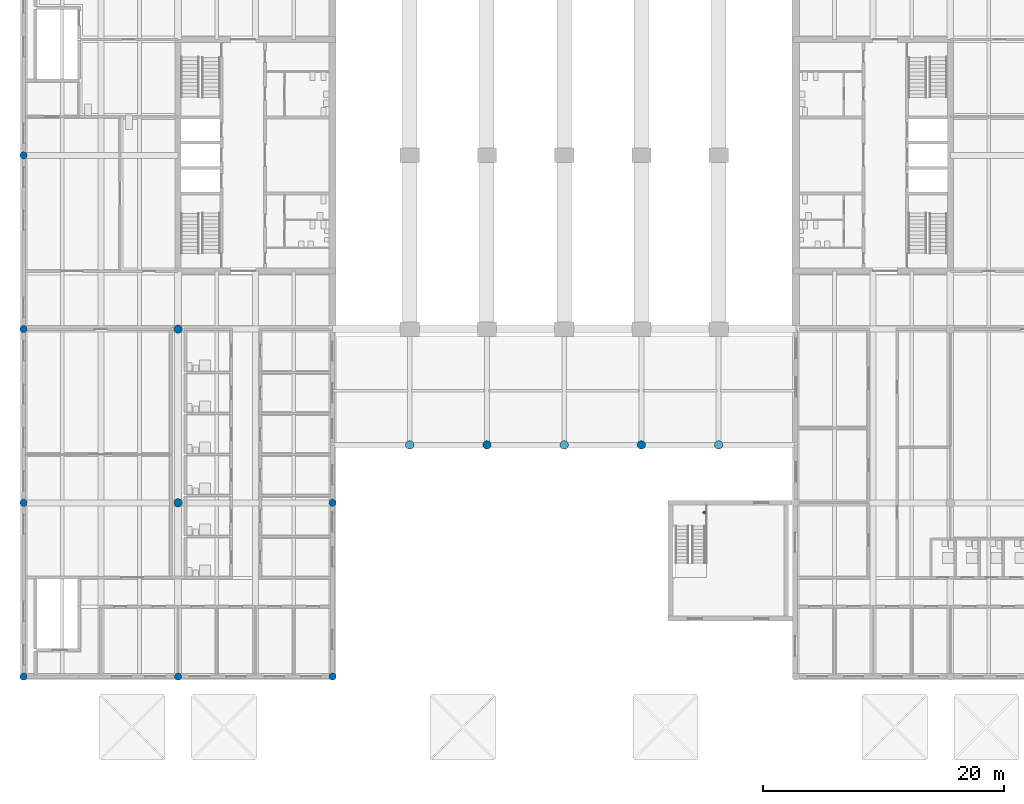
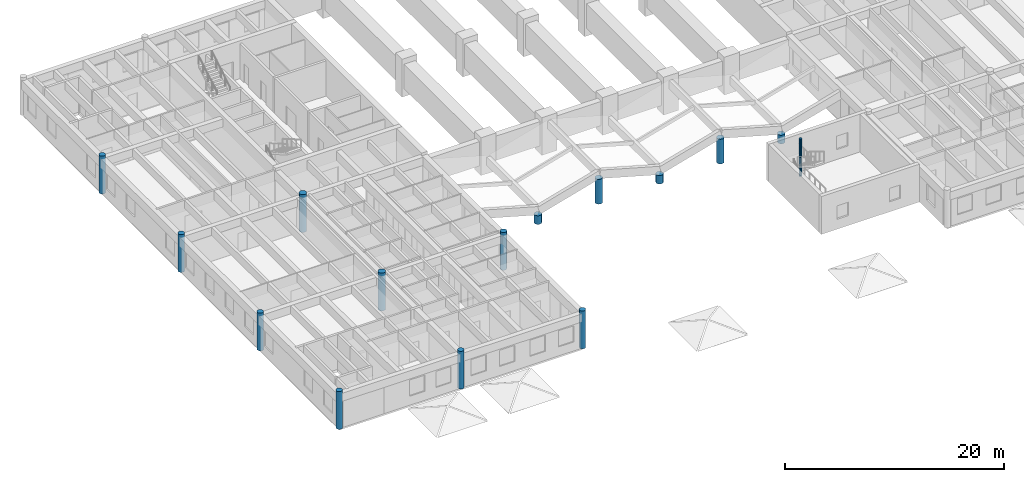
# One storey, part 1 of 19: 15 columns.
"""IFC4 building model written with IfcOpenShell, lengths in metres."""

from ifc_helpers import new_model, si_unit, direction, frame, origin, origin_2d, place, context, subcontext, project, spatial, circle, extrude, material, material_profile, profile_set, type_object, element, save


model = new_model("IFC4")

# Units and contexts
model_context = context("Model", 3, precision=1e-05, world=origin(), true_north=direction((0.0, 1.0)))
body_context = subcontext(model_context, "Body", "Model", "MODEL_VIEW")
ifc_project = project(units=[si_unit("LENGTHUNIT", "METRE"), si_unit("AREAUNIT", "SQUARE_METRE"), si_unit("VOLUMEUNIT", "CUBIC_METRE"), si_unit("PLANEANGLEUNIT", "RADIAN"), si_unit("MASSUNIT", "GRAM", prefix="KILO")], contexts=[model_context])

# Site, building, storey
site_placement = place(None, origin())
site = spatial("IfcSite", under=ifc_project, at=site_placement, CompositionType="ELEMENT")
building_placement = place(site_placement, origin())
building = spatial("IfcBuilding", under=site, at=building_placement, Name="Fogon Plaza Fire Station and Headquarters Tower", CompositionType="ELEMENT")
storey_placement = place(building_placement, frame((0.0, 0.0, 4.199951171875)))
storey = spatial("IfcBuildingStorey", under=building, at=storey_placement, Name="L01", CompositionType="ELEMENT", Elevation=4.199951171875)

# Columns
ifc_material_1 = material(Name="Concrete C40", Category="concrete")
ifc_material_profile_1 = material_profile(ifc_material_1, circle(Radius=0.125, at=origin_2d()), Name="RC D250")
ifc_profile_set_1 = profile_set([ifc_material_profile_1], Name="Concrete C40")
column_type_1 = type_object("IfcColumnType", Name="COLUMN RC D250", PredefinedType="COLUMN", material=ifc_profile_set_1)
column_1_placement = place(storey_placement, frame((56.39990234375, 13.60009765625, 0.0), z_axis=(0.0, 0.0, 1.0), x_axis=(1.0, 0.0, 0.0)))
element("IfcColumn", 1, at=column_1_placement, inside=storey, type_object=column_type_1, Name="Drill stair post L01", PredefinedType="COLUMN", context=body_context, shape_type="SweptSolid", body=[
    extrude(circle(Radius=0.125, at=origin_2d()), origin(), (0.0, 0.0, 1.0), 4.199951171875),
])
ifc_material_2 = material(Name="Concrete C40", Category="concrete")
ifc_material_profile_2 = material_profile(ifc_material_2, circle(Radius=0.300048828125, at=origin_2d()), Name="RC D600")
ifc_profile_set_2 = profile_set([ifc_material_profile_2], Name="Concrete C40")
column_type_2 = type_object("IfcColumnType", Name="COLUMN RC D600", PredefinedType="COLUMN", material=ifc_profile_set_2)
for number, where, z_axis, x_axis, name in (
    (2, (0.0, 0.0, 0.0), (0.0, 0.0, 1.0), (1.0, 0.0, 0.0), "col-L01-1A"),
    (3, (0.0, 14.39990234375, 0.0), (0.0, 0.0, 1.0), (1.0, 0.0, 0.0), "col-L01-1B"),
    (4, (0.0, 28.800048828125, 0.0), (0.0, 0.0, 1.0), (1.0, 0.0, 0.0), "col-L01-1D"),
    (5, (0.0, 43.199951171875, 0.0), (0.0, 0.0, 1.0), (1.0, 0.0, 0.0), "col-L01-1F"),
    (6, (12.800048828125, 0.0, 0.0), (0.0, 0.0, 1.0), (1.0, 0.0, 0.0), "col-L01-2A"),
    (7, (25.60009765625, 0.0, 0.0), (0.0, 0.0, 1.0), (1.0, 0.0, 0.0), "col-L01-3A"),
    (8, (25.60009765625, 14.39990234375, 0.0), (0.0, 0.0, 1.0), (1.0, 0.0, 0.0), "col-L01-3B"),
):
    element("IfcColumn", number, at=place(storey_placement, frame(where, z_axis=z_axis, x_axis=x_axis)), inside=storey, type_object=column_type_2, Name=name, PredefinedType="COLUMN", context=body_context, shape_type="SweptSolid", body=[
        extrude(circle(Radius=0.300048828125, at=origin_2d()), origin(), (0.0, 0.0, 1.0), 4.199951171875),
    ])
ifc_material_3 = material(Name="Concrete C40", Category="concrete")
ifc_material_profile_3 = material_profile(ifc_material_3, circle(Radius=0.35009765625, at=origin_2d()), Name="RC D700")
ifc_profile_set_3 = profile_set([ifc_material_profile_3], Name="Concrete C40")
column_type_3 = type_object("IfcColumnType", Name="COLUMN RC D700", PredefinedType="COLUMN", material=ifc_profile_set_3)
for number, where, z_axis, x_axis, name in (
    (9, (12.800048828125, 14.39990234375, 0.0), (0.0, 0.0, 1.0), (1.0, 0.0, 0.0), "col-L01-2B"),
    (10, (12.800048828125, 28.800048828125, 0.0), (0.0, 0.0, 1.0), (1.0, 0.0, 0.0), "col-L01-2D"),
):
    element("IfcColumn", number, at=place(storey_placement, frame(where, z_axis=z_axis, x_axis=x_axis)), inside=storey, type_object=column_type_3, Name=name, PredefinedType="COLUMN", context=body_context, shape_type="SweptSolid", body=[
        extrude(circle(Radius=0.35009765625, at=origin_2d()), origin(), (0.0, 0.0, 1.0), 4.199951171875),
    ])
column_2_placement = place(storey_placement, frame((32.0, 19.199951171875, 0.0), z_axis=(0.0, 0.0, 1.0), x_axis=(1.0, 0.0, 0.0)))
element("IfcColumn", 11, at=column_2_placement, inside=storey, type_object=column_type_3, Name="col-L01-CR4", PredefinedType="COLUMN", context=body_context, shape_type="SweptSolid", body=[
    extrude(circle(Radius=0.35009765625, at=origin_2d()), origin(), (0.0, 0.0, 1.0), 0.949951171875),
])
column_3_placement = place(storey_placement, frame((38.39990234375, 19.199951171875, 0.0), z_axis=(0.0, 0.0, 1.0), x_axis=(1.0, 0.0, 0.0)))
element("IfcColumn", 12, at=column_3_placement, inside=storey, type_object=column_type_3, Name="col-L01-CR5", PredefinedType="COLUMN", context=body_context, shape_type="SweptSolid", body=[
    extrude(circle(Radius=0.35009765625, at=origin_2d()), origin(), (0.0, 0.0, 1.0), 2.75),
])
column_4_placement = place(storey_placement, frame((44.800048828125, 19.199951171875, 0.0), z_axis=(0.0, 0.0, 1.0), x_axis=(1.0, 0.0, 0.0)))
element("IfcColumn", 13, at=column_4_placement, inside=storey, type_object=column_type_3, Name="col-L01-CR6", PredefinedType="COLUMN", context=body_context, shape_type="SweptSolid", body=[
    extrude(circle(Radius=0.35009765625, at=origin_2d()), origin(), (0.0, 0.0, 1.0), 0.949951171875),
])
column_5_placement = place(storey_placement, frame((51.199951171875, 19.199951171875, 0.0), z_axis=(0.0, 0.0, 1.0), x_axis=(1.0, 0.0, 0.0)))
element("IfcColumn", 14, at=column_5_placement, inside=storey, type_object=column_type_3, Name="col-L01-CR7", PredefinedType="COLUMN", context=body_context, shape_type="SweptSolid", body=[
    extrude(circle(Radius=0.35009765625, at=origin_2d()), origin(), (0.0, 0.0, 1.0), 2.75),
])
column_6_placement = place(storey_placement, frame((57.60009765625, 19.199951171875, 0.0), z_axis=(0.0, 0.0, 1.0), x_axis=(1.0, 0.0, 0.0)))
element("IfcColumn", 15, at=column_6_placement, inside=storey, type_object=column_type_3, Name="col-L01-CR8", PredefinedType="COLUMN", context=body_context, shape_type="SweptSolid", body=[
    extrude(circle(Radius=0.35009765625, at=origin_2d()), origin(), (0.0, 0.0, 1.0), 0.949951171875),
])

save(model, "model.ifc")
